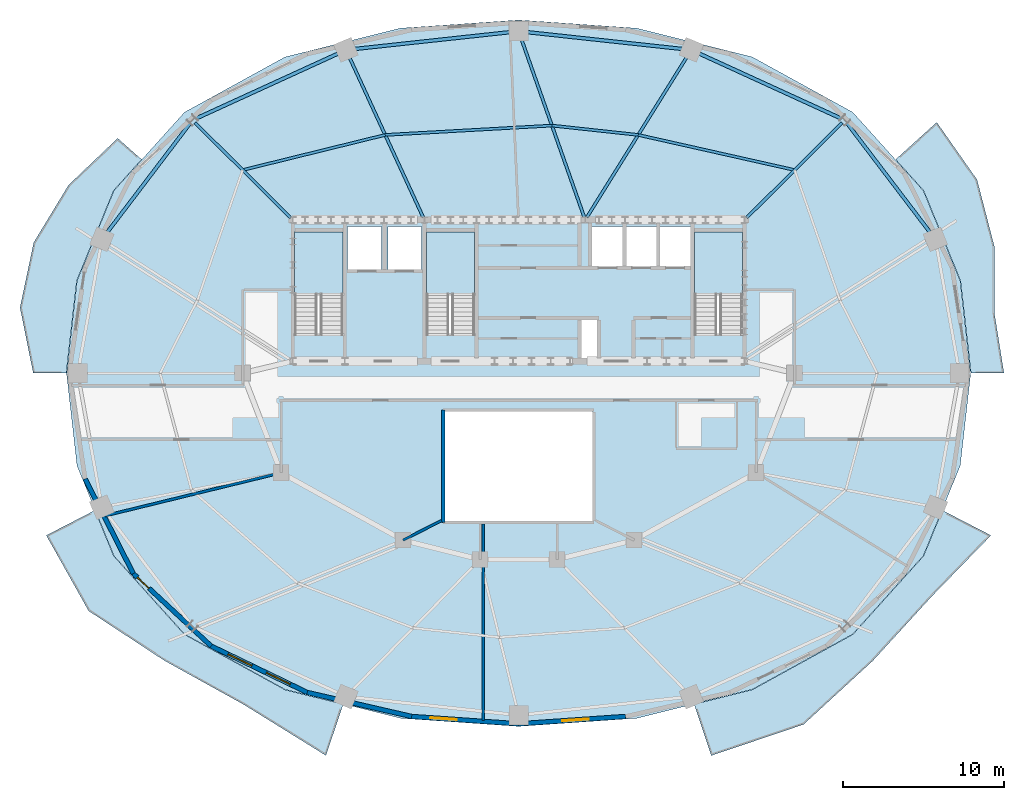
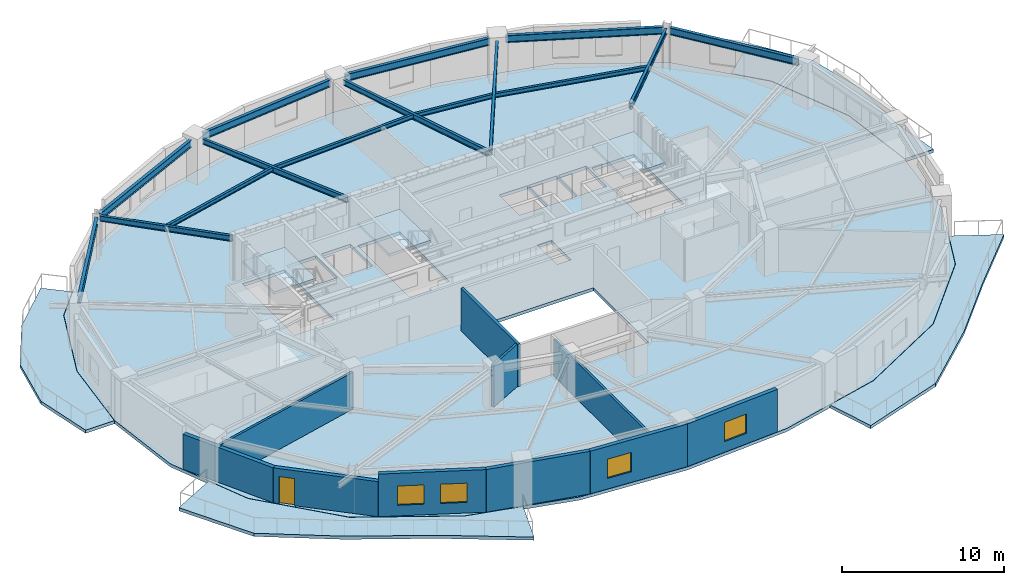
# One storey, part 3 of 11: 15 beams, 10 walls, 8 slabs, 4 windows, 1 door, 5 openings, 3 elements without a shape of their own.
"""IFC4 building model written with IfcOpenShell, lengths in metres."""

from ifc_helpers import new_model, si_unit, direction, frame, frame_2d, origin, origin_2d, place, context, subcontext, project, spatial, polyline, rectangle, i_section, outline, extrude, material, layer, layer_set, material_profile, profile_set, type_object, element, fill, aggregate, save


model = new_model("IFC4")

# Units and contexts
model_context = context("Model", 3, precision=1e-05, world=origin(), true_north=direction((0.0, 1.0)))
body_context = subcontext(model_context, "Body", "Model", "MODEL_VIEW")
ifc_project = project(units=[si_unit("LENGTHUNIT", "METRE"), si_unit("AREAUNIT", "SQUARE_METRE"), si_unit("VOLUMEUNIT", "CUBIC_METRE"), si_unit("PLANEANGLEUNIT", "RADIAN"), si_unit("MASSUNIT", "GRAM", prefix="KILO")], contexts=[model_context])

# Site, building, storey
site_placement = place(None, origin())
site = spatial("IfcSite", under=ifc_project, at=site_placement, CompositionType="ELEMENT")
building_placement = place(site_placement, origin())
building = spatial("IfcBuilding", under=site, at=building_placement, Name="Haldorwick Loom Tower", CompositionType="ELEMENT")
storey_placement = place(building_placement, frame((0.0, 0.0, 215.199951171875)))
storey = spatial("IfcBuildingStorey", under=building, at=storey_placement, Name="L58", CompositionType="ELEMENT", Elevation=215.199951171875)

# Beams
ifc_material_1 = material(Name="Steel CSA G40.21 350W", Category="steel")
ifc_material_profile_1 = material_profile(ifc_material_1, i_section(OverallWidth=0.166015625, OverallDepth=0.31298828125, WebThickness=0.006591796875, FlangeThickness=0.01123046875, at=origin_2d()), Name="W310X45", Category="steel")
ifc_profile_set_1 = profile_set([ifc_material_profile_1], Name="Steel CSA G40.21 350W")
beam_type_1 = type_object("IfcBeamType", Name="STR-BM-J310", PredefinedType="JOIST", material=ifc_profile_set_1)
beam_1_placement = place(storey_placement, frame((53.19384765625, 38.657470703125, 3.053466796875), z_axis=(-0.975700785876, 0.219107225898, 0.0), x_axis=(-0.219107225898, -0.975700785876, 0.0)))
element("IfcBeam", 1, at=beam_1_placement, inside=storey, type_object=beam_type_1, Name="L58 Mid-Bay Secondary Joist 3", PredefinedType="JOIST", context=body_context, shape_type="SweptSolid", body=[
    extrude(i_section(OverallWidth=0.166015625, OverallDepth=0.31298828125, WebThickness=0.006591796875, FlangeThickness=0.01123046875, at=origin_2d()), origin(), (0.0, 0.0, 1.0), 9.98486328125),
])
beam_2_placement = place(storey_placement, frame((43.45166015625, 40.84521484375, 3.053466796875), z_axis=(-0.994187082722, 0.107666357549, 0.0), x_axis=(-0.107666357549, -0.994187082722, 0.0)))
element("IfcBeam", 2, at=beam_2_placement, inside=storey, type_object=beam_type_1, Name="L58 Mid-Bay Secondary Joist 4", PredefinedType="JOIST", context=body_context, shape_type="SweptSolid", body=[
    extrude(i_section(OverallWidth=0.166015625, OverallDepth=0.31298828125, WebThickness=0.006591796875, FlangeThickness=0.01123046875, at=origin_2d()), origin(), (0.0, 0.0, 1.0), 5.408203125),
])
beam_3_placement = place(storey_placement, frame((38.074951171875, 41.427490234375, 3.053466796875), z_axis=(-0.998432354117, -0.05597172726, 0.0), x_axis=(0.05597172726, -0.998432354117, 0.0)))
element("IfcBeam", 3, at=beam_3_placement, inside=storey, type_object=beam_type_1, Name="L58 Mid-Bay Secondary Joist 5", PredefinedType="JOIST", context=body_context, shape_type="SweptSolid", body=[
    extrude(i_section(OverallWidth=0.166015625, OverallDepth=0.31298828125, WebThickness=0.006591796875, FlangeThickness=0.01123046875, at=origin_2d()), origin(), (0.0, 0.0, 1.0), 10.403076171875),
])
beam_4_placement = place(storey_placement, frame((27.688232421875, 40.84521484375, 3.053466796875), z_axis=(-0.970979703726, -0.239161901132, 0.0), x_axis=(0.239161901132, -0.970979703726, 0.0)))
element("IfcBeam", 4, at=beam_4_placement, inside=storey, type_object=beam_type_1, Name="L58 Mid-Bay Secondary Joist 6", PredefinedType="JOIST", context=body_context, shape_type="SweptSolid", body=[
    extrude(i_section(OverallWidth=0.166015625, OverallDepth=0.31298828125, WebThickness=0.006591796875, FlangeThickness=0.01123046875, at=origin_2d()), origin(), (0.0, 0.0, 1.0), 9.1474609375),
])
ifc_material_profile_2 = material_profile(ifc_material_1, i_section(OverallWidth=0.179931640625, OverallDepth=0.4130859375, WebThickness=0.009765625, FlangeThickness=0.01611328125, at=origin_2d()), Name="W410X74", Category="steel")
ifc_profile_set_2 = profile_set([ifc_material_profile_2], Name="Steel CSA G40.21 350W")
beam_type_2 = type_object("IfcBeamType", Name="STR-BM-J410", PredefinedType="JOIST", material=ifc_profile_set_2)
beam_5_placement = place(storey_placement, frame((50.1962890625, 35.675537109375, 3.003662109375), z_axis=(0.708962390492, 0.70524628951, 0.0), x_axis=(-0.70524628951, 0.708962390492, 0.0)))
element("IfcBeam", 5, at=beam_5_placement, inside=storey, type_object=beam_type_2, Name="L58 Radial Floor Girder 3", PredefinedType="JOIST", context=body_context, shape_type="SweptSolid", body=[
    extrude(i_section(OverallWidth=0.179931640625, OverallDepth=0.4130859375, WebThickness=0.009765625, FlangeThickness=0.01611328125, at=origin_2d()), origin(), (0.0, 0.0, 1.0), 8.409423828125),
])
beam_6_placement = place(storey_placement, frame((40.244140625, 35.700927734375, 3.003662109375), z_axis=(0.529095323143, 0.848562395483, 0.0), x_axis=(-0.848562395483, 0.529095323143, 0.0)))
element("IfcBeam", 6, at=beam_6_placement, inside=storey, type_object=beam_type_2, Name="L58 Radial Floor Girder 4", PredefinedType="JOIST", context=body_context, shape_type="SweptSolid", body=[
    extrude(i_section(OverallWidth=0.179931640625, OverallDepth=0.4130859375, WebThickness=0.009765625, FlangeThickness=0.01611328125, at=origin_2d()), origin(), (0.0, 0.0, 1.0), 11.78271484375),
])
beam_7_placement = place(storey_placement, frame((40.0908203125, 35.7177734375, 3.003662109375), z_axis=(-0.332908014691, 0.942959306521, 0.0), x_axis=(-0.942959306521, -0.332908014691, 0.0)))
element("IfcBeam", 7, at=beam_7_placement, inside=storey, type_object=beam_type_2, Name="L58 Radial Floor Girder 5", PredefinedType="JOIST", context=body_context, shape_type="SweptSolid", body=[
    extrude(i_section(OverallWidth=0.179931640625, OverallDepth=0.4130859375, WebThickness=0.009765625, FlangeThickness=0.01611328125, at=origin_2d()), origin(), (0.0, 0.0, 1.0), 11.768310546875),
])
beam_8_placement = place(storey_placement, frame((30.055419921875, 35.711669921875, 3.003662109375), z_axis=(-0.418729142855, 0.908111174319, 0.0), x_axis=(-0.908111174319, -0.418729142855, 0.0)))
element("IfcBeam", 8, at=beam_8_placement, inside=storey, type_object=beam_type_2, Name="L58 Radial Floor Girder 6", PredefinedType="JOIST", context=body_context, shape_type="SweptSolid", body=[
    extrude(i_section(OverallWidth=0.179931640625, OverallDepth=0.4130859375, WebThickness=0.009765625, FlangeThickness=0.01611328125, at=origin_2d()), origin(), (0.0, 0.0, 1.0), 10.96435546875),
])
beam_9_placement = place(storey_placement, frame((21.8037109375, 35.675537109375, 3.003662109375), z_axis=(-0.708962390492, 0.70524628951, 0.0), x_axis=(-0.70524628951, -0.708962390492, 0.0)))
element("IfcBeam", 9, at=beam_9_placement, inside=storey, type_object=beam_type_2, Name="L58 Radial Floor Girder 7", PredefinedType="JOIST", context=body_context, shape_type="SweptSolid", body=[
    extrude(i_section(OverallWidth=0.179931640625, OverallDepth=0.4130859375, WebThickness=0.009765625, FlangeThickness=0.01611328125, at=origin_2d()), origin(), (0.0, 0.0, 1.0), 8.409423828125),
])
ifc_material_profile_3 = material_profile(ifc_material_1, i_section(OverallWidth=0.2119140625, OverallDepth=0.5439453125, WebThickness=0.01318359375, FlangeThickness=0.021240234375, at=origin_2d()), Name="W530X123", Category="steel")
ifc_profile_set_3 = profile_set([ifc_material_profile_3], Name="Steel CSA G40.21 350W")
beam_type_3 = type_object("IfcBeamType", Name="STR-BM-SP530", PredefinedType="SPANDREL", material=ifc_profile_set_3)
beam_10_placement = place(storey_placement, frame((61.646240234375, 34.75634765625, 2.93798828125), z_axis=(-0.605236944797, 0.796045376001, 0.0), x_axis=(-0.796045376001, -0.605236944797, 0.0)))
element("IfcBeam", 10, at=beam_10_placement, inside=storey, type_object=beam_type_3, Name="L58 Perimeter Spandrel 2", PredefinedType="SPANDREL", context=body_context, shape_type="SweptSolid", body=[
    extrude(i_section(OverallWidth=0.2119140625, OverallDepth=0.5439453125, WebThickness=0.01318359375, FlangeThickness=0.021240234375, at=origin_2d()), origin(), (0.0, 0.0, 1.0), 8.5791015625),
])
beam_11_placement = place(storey_placement, frame((56.113037109375, 41.8583984375, 2.93798828125), z_axis=(-0.909342182232, 0.416049030299, 0.0), x_axis=(-0.416049030299, -0.909342182232, 0.0)))
element("IfcBeam", 11, at=beam_11_placement, inside=storey, type_object=beam_type_3, Name="L58 Perimeter Spandrel 3", PredefinedType="SPANDREL", context=body_context, shape_type="SweptSolid", body=[
    extrude(i_section(OverallWidth=0.2119140625, OverallDepth=0.5439453125, WebThickness=0.01318359375, FlangeThickness=0.021240234375, at=origin_2d()), origin(), (0.0, 0.0, 1.0), 9.772705078125),
])
for number, where, z_axis, x_axis, name in (
    (12, (46.236328125, 46.196533203125, 2.93798828125), (-0.994187774205, 0.107659972233, 0.0), (-0.107659972233, -0.994187774205, 0.0), "L58 Perimeter Spandrel 4"),
    (13, (35.48291015625, 47.2490234375, 2.93798828125), (-0.994187774205, -0.107659972233, 0.0), (0.107659972233, -0.994187774205, 0.0), "L58 Perimeter Spandrel 5"),
):
    element("IfcBeam", number, at=place(storey_placement, frame(where, z_axis=z_axis, x_axis=x_axis)), inside=storey, type_object=beam_type_3, Name=name, PredefinedType="SPANDREL", context=body_context, shape_type="SweptSolid", body=[
        extrude(i_section(OverallWidth=0.2119140625, OverallDepth=0.5439453125, WebThickness=0.01318359375, FlangeThickness=0.021240234375, at=origin_2d()), origin(), (0.0, 0.0, 1.0), 9.776123046875),
    ])
beam_12_placement = place(storey_placement, frame((24.773681640625, 45.92431640625, 2.93798828125), z_axis=(-0.909342182232, -0.416049030299, 0.0), x_axis=(0.416049030299, -0.909342182232, 0.0)))
element("IfcBeam", 14, at=beam_12_placement, inside=storey, type_object=beam_type_3, Name="L58 Perimeter Spandrel 6", PredefinedType="SPANDREL", context=body_context, shape_type="SweptSolid", body=[
    extrude(i_section(OverallWidth=0.2119140625, OverallDepth=0.5439453125, WebThickness=0.01318359375, FlangeThickness=0.021240234375, at=origin_2d()), origin(), (0.0, 0.0, 1.0), 9.772705078125),
])
beam_13_placement = place(storey_placement, frame((15.546142578125, 41.585693359375, 2.93798828125), z_axis=(-0.605236944797, -0.796045376001, 0.0), x_axis=(0.796045376001, -0.605236944797, 0.0)))
element("IfcBeam", 15, at=beam_13_placement, inside=storey, type_object=beam_type_3, Name="L58 Perimeter Spandrel 7", PredefinedType="SPANDREL", context=body_context, shape_type="SweptSolid", body=[
    extrude(i_section(OverallWidth=0.2119140625, OverallDepth=0.5439453125, WebThickness=0.01318359375, FlangeThickness=0.021240234375, at=origin_2d()), origin(), (0.0, 0.0, 1.0), 8.5791015625),
])

# Slabs
ifc_material_2 = material(Name="Concrete C40 (40 MPa)", Category="concrete")
ifc_layer_1 = layer(ifc_material_2, 0.239990234375, Name="Concrete C40 (40 MPa)", Category="concrete")
ifc_layer_set_1 = layer_set([ifc_layer_1], Name="Concrete C40 (40 MPa)")
slab_type_1 = type_object("IfcSlabType", Name="STR-SLB-BAL240", PredefinedType="FLOOR", material=ifc_layer_set_1)
slab_1_placement = place(storey_placement, frame((0.0, 0.0, -0.239990234375)))
element("IfcSlab", 16, at=slab_1_placement, inside=storey, type_object=slab_type_1, Name="L58 Sinusoidal Balcony Terrace BAL_SE", PredefinedType="FLOOR", context=body_context, shape_type="SweptSolid", body=[
    extrude(outline(polyline([(62.39208984375, 17.46142578125), (61.229736328125, 14.62060546875), (61.229248046875, 14.619384765625), (61.228515625, 14.6181640625), (61.227783203125, 14.6171875), (61.22705078125, 14.6162109375), (56.82373046875, 9.72998046875), (56.82275390625, 9.72900390625), (56.8212890625, 9.727783203125), (56.81982421875, 9.72705078125), (50.565673828125, 6.287109375), (50.564453125, 6.286376953125), (50.563232421875, 6.285888671875), (50.56201171875, 6.285400390625), (46.934326171875, 5.379638671875), (48.0029296875, 2.17919921875), (53.75341796875, 4.119873046875), (58.088134765625, 8.107666015625), (61.7333984375, 12.09521484375), (65.4248046875, 15.89599609375), (62.39208984375, 17.46142578125)])), origin(), (0.0, 0.0, 1.0), 0.239990234375),
])
slab_2_placement = place(storey_placement, frame((0.0, 0.0, -0.239990234375)))
element("IfcSlab", 17, at=slab_2_placement, inside=storey, type_object=slab_type_1, Name="L58 Sinusoidal Balcony Terrace BAL_SW", PredefinedType="FLOOR", context=body_context, shape_type="SweptSolid", body=[
    extrude(outline(polyline([(25.065673828125, 5.379638671875), (21.43798828125, 6.285400390625), (21.436767578125, 6.285888671875), (21.435546875, 6.286376953125), (21.434326171875, 6.287109375), (15.18017578125, 9.72705078125), (15.1787109375, 9.727783203125), (15.17724609375, 9.72900390625), (15.17626953125, 9.72998046875), (10.77294921875, 14.6162109375), (10.772216796875, 14.6171875), (10.771484375, 14.6181640625), (10.770751953125, 14.619384765625), (10.770263671875, 14.62060546875), (9.60791015625, 17.46142578125), (6.5751953125, 15.89599609375), (9.211181640625, 11.19287109375), (13.911865234375, 8.107666015625), (18.889404296875, 5.350830078125), (23.9970703125, 2.17919921875), (25.065673828125, 5.379638671875)])), origin(), (0.0, 0.0, 1.0), 0.239990234375),
])
slab_3_placement = place(storey_placement, frame((0.0, 0.0, -0.239990234375)))
element("IfcSlab", 18, at=slab_3_placement, inside=storey, type_object=slab_type_1, Name="L58 Sinusoidal Balcony Terrace BAL_WNW", PredefinedType="FLOOR", context=body_context, shape_type="SweptSolid", body=[
    extrude(outline(polyline([(7.818603515625, 26.0), (7.818603515625, 26.001708984375), (8.472412109375, 31.760986328125), (8.47265625, 31.762451171875), (8.472900390625, 31.763916015625), (8.473388671875, 31.76513671875), (10.770263671875, 37.37939453125), (10.770751953125, 37.380615234375), (10.771484375, 37.3818359375), (10.772216796875, 37.3828125), (10.77294921875, 37.3837890625), (12.51220703125, 39.31396484375), (11.021240234375, 40.63623046875), (7.961669921875, 37.720947265625), (5.794921875, 34.153564453125), (4.93603515625, 30.090576171875), (5.761962890625, 26.0), (7.818603515625, 26.0)])), origin(), (0.0, 0.0, 1.0), 0.239990234375),
])
slab_4_placement = place(storey_placement, frame((0.0, 0.0, -0.239990234375)))
element("IfcSlab", 19, at=slab_4_placement, inside=storey, type_object=slab_type_1, Name="L58 Sinusoidal Balcony Terrace BAL_ENE", PredefinedType="FLOOR", context=body_context, shape_type="SweptSolid", body=[
    extrude(outline(polyline([(59.48681640625, 39.315185546875), (61.22705078125, 37.3837890625), (61.227783203125, 37.3828125), (61.228515625, 37.3818359375), (61.229248046875, 37.380615234375), (61.229736328125, 37.37939453125), (63.526611328125, 31.76513671875), (63.527099609375, 31.763916015625), (63.52734375, 31.762451171875), (63.527587890625, 31.760986328125), (64.181396484375, 26.001708984375), (64.181396484375, 26.0), (66.238037109375, 26.0), (65.631103515625, 29.80029296875), (65.632568359375, 33.91552734375), (64.5576171875, 38.0595703125), (62.04931640625, 41.6318359375), (59.48681640625, 39.315185546875)])), origin(), (0.0, 0.0, 1.0), 0.239990234375),
])

# Stair, slab
stair_type = type_object("IfcStairType", Name="STR-STR-CORE", PredefinedType="HALF_TURN_STAIR", material=ifc_material_2)
stair_1_placement = place(storey_placement, origin())
stair_1 = element("IfcStair", 20, at=stair_1_placement, inside=storey, type_object=stair_type, Name="L58 Exit Stair ST-01", PredefinedType="HALF_TURN_STAIR")
ifc_layer_2 = layer(ifc_material_2, 0.199951171875, Name="Concrete C40 (40 MPa)", Category="concrete")
ifc_layer_set_2 = layer_set([ifc_layer_2], Name="Concrete C40 (40 MPa)")
slab_type_2 = type_object("IfcSlabType", Name="STR-SLB-LAND200", PredefinedType="LANDING", material=ifc_layer_set_2)
slab_5_placement = place(storey_placement, frame((0.0, 0.0, 1.525146484375)))
slab_5 = element("IfcSlab", 21, at=slab_5_placement, type_object=slab_type_2, Name="ST-01 landing 1", PredefinedType="LANDING", context=body_context, shape_type="SweptSolid", body=[
    extrude(outline(polyline([(25.050048828125, 30.919921875), (25.050048828125, 34.800048828125), (22.050048828125, 34.800048828125), (22.050048828125, 30.919921875), (25.050048828125, 30.919921875)])), origin(), (0.0, 0.0, 1.0), 0.199951171875),
])
aggregate(stair_1, [slab_5])

stair_2_placement = place(storey_placement, origin())
stair_2 = element("IfcStair", 22, at=stair_2_placement, inside=storey, type_object=stair_type, Name="L58 Exit Stair ST-02", PredefinedType="HALF_TURN_STAIR")
slab_6_placement = place(storey_placement, frame((0.0, 0.0, 1.525146484375)))
slab_6 = element("IfcSlab", 23, at=slab_6_placement, type_object=slab_type_2, Name="ST-02 landing 1", PredefinedType="LANDING", context=body_context, shape_type="SweptSolid", body=[
    extrude(outline(polyline([(49.949951171875, 30.919921875), (49.949951171875, 34.800048828125), (46.949951171875, 34.800048828125), (46.949951171875, 30.919921875), (49.949951171875, 30.919921875)])), origin(), (0.0, 0.0, 1.0), 0.199951171875),
])
aggregate(stair_2, [slab_6])

stair_3_placement = place(storey_placement, origin())
stair_3 = element("IfcStair", 24, at=stair_3_placement, inside=storey, type_object=stair_type, Name="L58 Exit Stair ST-03", PredefinedType="HALF_TURN_STAIR")
slab_7_placement = place(storey_placement, frame((0.0, 0.0, 1.525146484375)))
slab_7 = element("IfcSlab", 25, at=slab_7_placement, type_object=slab_type_2, Name="ST-03 landing 1", PredefinedType="LANDING", context=body_context, shape_type="SweptSolid", body=[
    extrude(outline(polyline([(33.25, 30.919921875), (33.25, 34.800048828125), (30.25, 34.800048828125), (30.25, 30.919921875), (33.25, 30.919921875)])), origin(), (0.0, 0.0, 1.0), 0.199951171875),
])
aggregate(stair_3, [slab_7])

# Slab
ifc_layer_3 = layer(ifc_material_2, 0.239990234375, Name="Concrete C40 (40 MPa)", Category="concrete")
ifc_layer_set_3 = layer_set([ifc_layer_3], Name="Concrete C40 (40 MPa)")
slab_type_3 = type_object("IfcSlabType", Name="STR-SLB-RES240", PredefinedType="FLOOR", material=ifc_layer_set_3)
slab_8_placement = place(storey_placement, frame((0.0, 0.0, -0.239990234375)))
element("IfcSlab", 26, at=slab_8_placement, inside=storey, type_object=slab_type_3, Name="L58 Residential Structural Floor Slab", PredefinedType="FLOOR", context=body_context, shape_type="SweptSolid", body=[
    extrude(outline(polyline([(56.812744140625, 9.739990234375), (61.2158203125, 14.626220703125), (63.5126953125, 20.240478515625), (64.16650390625, 26.0), (63.5126953125, 31.759521484375), (61.2158203125, 37.373779296875), (56.812744140625, 42.260009765625), (50.558349609375, 45.699951171875), (43.3720703125, 47.494384765625), (36.0, 48.0048828125), (28.6279296875, 47.494384765625), (21.441650390625, 45.699951171875), (15.187255859375, 42.260009765625), (10.7841796875, 37.373779296875), (8.4873046875, 31.759521484375), (7.83349609375, 26.0), (8.4873046875, 20.240478515625), (10.7841796875, 14.626220703125), (15.187255859375, 9.739990234375), (21.441650390625, 6.300048828125), (28.6279296875, 4.505615234375), (36.0, 3.9951171875), (43.3720703125, 4.505615234375), (50.558349609375, 6.300048828125), (56.812744140625, 9.739990234375)]), holes=[polyline([(31.39990234375, 16.800048828125), (31.39990234375, 23.60009765625), (40.60009765625, 23.60009765625), (40.60009765625, 16.800048828125), (31.39990234375, 16.800048828125)]), polyline([(40.89990234375, 26.89990234375), (39.89990234375, 26.89990234375), (39.89990234375, 29.300048828125), (40.89990234375, 29.300048828125), (40.89990234375, 26.89990234375)]), polyline([(23.6201171875, 28.39990234375), (22.050048828125, 28.39990234375), (22.050048828125, 34.800048828125), (25.050048828125, 34.800048828125), (25.050048828125, 28.639892578125), (23.6201171875, 28.639892578125), (23.6201171875, 28.39990234375)]), polyline([(30.25, 28.39990234375), (30.25, 34.800048828125), (33.25, 34.800048828125), (33.25, 28.639892578125), (31.820068359375, 28.639892578125), (31.820068359375, 28.39990234375), (30.25, 28.39990234375)]), polyline([(46.949951171875, 28.39990234375), (46.949951171875, 34.800048828125), (49.949951171875, 34.800048828125), (49.949951171875, 28.639892578125), (48.52001953125, 28.639892578125), (48.52001953125, 28.39990234375), (46.949951171875, 28.39990234375)]), polyline([(27.449951171875, 32.449951171875), (25.35009765625, 32.449951171875), (25.35009765625, 35.14990234375), (27.449951171875, 35.14990234375), (27.449951171875, 32.449951171875)]), polyline([(29.949951171875, 32.449951171875), (27.85009765625, 32.449951171875), (27.85009765625, 35.14990234375), (29.949951171875, 35.14990234375), (29.949951171875, 32.449951171875)]), polyline([(42.550048828125, 32.64990234375), (40.550048828125, 32.64990234375), (40.550048828125, 35.14990234375), (42.550048828125, 35.14990234375), (42.550048828125, 32.64990234375)]), polyline([(42.64990234375, 32.64990234375), (42.64990234375, 35.14990234375), (44.64990234375, 35.14990234375), (44.64990234375, 32.64990234375), (42.64990234375, 32.64990234375)]), polyline([(44.75, 32.64990234375), (44.75, 35.14990234375), (46.75, 35.14990234375), (46.75, 32.64990234375), (44.75, 32.64990234375)])]), origin(), (0.0, 0.0, 1.0), 0.239990234375),
])

# Wall
ifc_material_3 = material(Name="Pressed Clay Face Brick and Insulated Masonry Backup Assembly", Category="masonry")
ifc_layer_4 = layer(ifc_material_3, 0.280029296875, Name="Pressed Clay Face Brick and Insulated Masonry Backup Assembly", Category="masonry")
ifc_layer_set_4 = layer_set([ifc_layer_4], Name="Pressed Clay Face Brick and Insulated Masonry Backup Assembly")
wall_type_1 = type_object("IfcWallType", Name="ARC-WL-EXT280", PredefinedType="STANDARD", material=ifc_layer_set_4)
wall_1_placement = place(storey_placement, frame((8.995849609375, 19.415283203125, 0.0), z_axis=(0.0, 0.0, 1.0), x_axis=(0.453032066879, -0.89149422117, 0.0)))
element("IfcWall", 27, at=wall_1_placement, inside=storey, type_object=wall_type_1, Name="L58 Brick Pier and Spandrel Wall 14", PredefinedType="STANDARD", context=body_context, shape_type="SweptSolid", body=[
    extrude(rectangle(XDim=6.618896484375, YDim=0.280029296875, at=frame_2d((3.3095703125, 0.0))), origin(), (0.0, 0.0, 1.0), 2.64111328125),
])

# Wall, opening, door
wall_2_placement = place(storey_placement, frame((11.994384765625, 13.5146484375, 0.0), z_axis=(0.0, 0.0, 1.0), x_axis=(0.731833707499, -0.681483253329, 0.0)))
wall_2 = element("IfcWall", 28, at=wall_2_placement, inside=storey, type_object=wall_type_1, Name="L58 Brick Pier and Spandrel Wall 15", PredefinedType="STANDARD", context=body_context, shape_type="SweptSolid", body=[
    extrude(rectangle(XDim=6.61865234375, YDim=0.280029296875, at=frame_2d((3.309326171875, 0.0))), origin(), (0.0, 0.0, 1.0), 2.64111328125),
])
opening_1_placement = place(wall_2_placement, frame((0.340087890625, 0.0, 0.0)))
opening_1 = element("IfcOpeningElement", 29, at=opening_1_placement, cuts=wall_2, Name="Opening D-BL10", PredefinedType="OPENING", context=body_context, shape_type="SweptSolid", body=[
    extrude(rectangle(XDim=1.0, YDim=2.0400390625, at=frame_2d((0.5, 1.02001953125))), frame((0.0, 0.14990234375, 0.0), z_axis=(0.0, -1.0, 0.0), x_axis=(1.0, 0.0, 0.0)), (0.0, 0.0, 1.0), 0.300048828125),
])
ifc_material_4 = material(Name="Thermally Broken Anodized Aluminium Curtain Wall Framing", Category="aluminium")
door_type = type_object("IfcDoorType", Name="ARC-DR-BAL100", OperationType="NOTDEFINED", PredefinedType="DOOR", material=ifc_material_4)
door_placement = place(opening_1_placement, origin())
door = element("IfcDoor", 30, at=door_placement, inside=storey, type_object=door_type, Name="L58 Outdoor Terrace Door SLB-L58-BAL_SW", OperationType="SINGLE_SWING_LEFT", OverallHeight=2.0400390625, OverallWidth=1.0, PredefinedType="DOOR", context=body_context, shape_type="SweptSolid", body=[
    extrude(rectangle(XDim=1.0, YDim=2.0400390625, at=frame_2d((0.5, 1.02001953125))), frame((0.0, 0.02490234375, 0.0), z_axis=(0.0, -1.0, 0.0), x_axis=(1.0, 0.0, 0.0)), (0.0, 0.0, 1.0), 0.050048828125),
])
fill(opening_1, door)

# Wall, openings, windows
wall_3_placement = place(storey_placement, frame((16.838134765625, 9.004150390625, 0.0), z_axis=(0.0, 0.0, 1.0), x_axis=(0.900371236029, -0.435122554381, 0.0)))
wall_3 = element("IfcWall", 31, at=wall_3_placement, inside=storey, type_object=wall_type_1, Name="L58 Brick Pier and Spandrel Wall 16", PredefinedType="STANDARD", context=body_context, shape_type="SweptSolid", body=[
    extrude(rectangle(XDim=6.6533203125, YDim=0.280029296875, at=frame_2d((3.32666015625, 0.0))), origin(), (0.0, 0.0, 1.0), 3.2099609375),
])
opening_2_placement = place(wall_3_placement, frame((1.1708984375, 0.0, 0.800048828125)))
opening_2 = element("IfcOpeningElement", 32, at=opening_2_placement, cuts=wall_3, Name="Opening W-01B", PredefinedType="OPENING", context=body_context, shape_type="SweptSolid", body=[
    extrude(rectangle(XDim=1.64990234375, YDim=1.449951171875, at=frame_2d((0.824951171875, 0.72509765625))), frame((0.0, 0.14990234375, 0.0), z_axis=(0.0, -1.0, 0.0), x_axis=(1.0, 0.0, 0.0)), (0.0, 0.0, 1.0), 0.300048828125),
])
opening_3_placement = place(wall_3_placement, frame((3.832275390625, 0.0, 0.800048828125)))
opening_3 = element("IfcOpeningElement", 33, at=opening_3_placement, cuts=wall_3, Name="Opening W-01B", PredefinedType="OPENING", context=body_context, shape_type="SweptSolid", body=[
    extrude(rectangle(XDim=1.64990234375, YDim=1.449951171875, at=frame_2d((0.824951171875, 0.72509765625))), frame((0.0, 0.14990234375, 0.0), z_axis=(0.0, -1.0, 0.0), x_axis=(1.0, 0.0, 0.0)), (0.0, 0.0, 1.0), 0.300048828125),
])
ifc_material_5 = material(Name="Triple-Glazed Low-E Argon Insulated Glazing Unit", Category="glass")
window_type = type_object("IfcWindowType", Name="ARC-WIN-W165", PartitioningType="SINGLE_PANEL", PredefinedType="WINDOW", material=ifc_material_5)
window_1_placement = place(opening_2_placement, origin())
window_1 = element("IfcWindow", 34, at=window_1_placement, inside=storey, type_object=window_type, Name="L58 Deep-Set Zone 7A Window 16", OverallHeight=1.449951171875, OverallWidth=1.64990234375, PartitioningType="SINGLE_PANEL", PredefinedType="WINDOW", context=body_context, shape_type="SweptSolid", body=[
    extrude(rectangle(XDim=1.64990234375, YDim=1.449951171875, at=frame_2d((0.824951171875, 0.72509765625))), frame((0.0, 0.030029296875, 0.0), z_axis=(0.0, -1.0, 0.0), x_axis=(1.0, 0.0, 0.0)), (0.0, 0.0, 1.0), 0.06005859375),
])
fill(opening_2, window_1)
window_2_placement = place(opening_3_placement, origin())
window_2 = element("IfcWindow", 35, at=window_2_placement, inside=storey, type_object=window_type, Name="L58 Deep-Set Zone 7A Window 16", OverallHeight=1.449951171875, OverallWidth=1.64990234375, PartitioningType="SINGLE_PANEL", PredefinedType="WINDOW", context=body_context, shape_type="SweptSolid", body=[
    extrude(rectangle(XDim=1.64990234375, YDim=1.449951171875, at=frame_2d((0.824951171875, 0.72509765625))), frame((0.0, 0.030029296875, 0.0), z_axis=(0.0, -1.0, 0.0), x_axis=(1.0, 0.0, 0.0)), (0.0, 0.0, 1.0), 0.06005859375),
])
fill(opening_3, window_2)

# Wall
wall_4_placement = place(storey_placement, frame((22.82861328125, 6.109130859375, 0.0), z_axis=(0.0, 0.0, 1.0), x_axis=(0.974557343474, -0.224138315065, 0.0)))
element("IfcWall", 36, at=wall_4_placement, inside=storey, type_object=wall_type_1, Name="L58 Brick Pier and Spandrel Wall 17", PredefinedType="STANDARD", context=body_context, shape_type="SweptSolid", body=[
    extrude(rectangle(XDim=6.676025390625, YDim=0.280029296875, at=frame_2d((3.337890625, 0.0))), origin(), (0.0, 0.0, 1.0), 3.2099609375),
])

# Wall, opening, window
wall_5_placement = place(storey_placement, frame((29.334716796875, 4.61279296875, 0.0), z_axis=(0.0, 0.0, 1.0), x_axis=(0.99764992135, -0.068517402386, 0.0)))
wall_5 = element("IfcWall", 37, at=wall_5_placement, inside=storey, type_object=wall_type_1, Name="L58 Brick Pier and Spandrel Wall 18", PredefinedType="STANDARD", context=body_context, shape_type="SweptSolid", body=[
    extrude(rectangle(XDim=6.680908203125, YDim=0.280029296875, at=frame_2d((3.34033203125, 0.0))), origin(), (0.0, 0.0, 1.0), 3.2099609375),
])
opening_4_placement = place(wall_5_placement, frame((1.17919921875, 0.0, 0.800048828125)))
opening_4 = element("IfcOpeningElement", 38, at=opening_4_placement, cuts=wall_5, Name="Opening W-01B", PredefinedType="OPENING", context=body_context, shape_type="SweptSolid", body=[
    extrude(rectangle(XDim=1.64990234375, YDim=1.449951171875, at=frame_2d((0.824951171875, 0.72509765625))), frame((0.0, 0.14990234375, 0.0), z_axis=(0.0, -1.0, 0.0), x_axis=(1.0, 0.0, 0.0)), (0.0, 0.0, 1.0), 0.300048828125),
])
window_3_placement = place(opening_4_placement, origin())
window_3 = element("IfcWindow", 39, at=window_3_placement, inside=storey, type_object=window_type, Name="L58 Deep-Set Zone 7A Window 18", OverallHeight=1.449951171875, OverallWidth=1.64990234375, PartitioningType="SINGLE_PANEL", PredefinedType="WINDOW", context=body_context, shape_type="SweptSolid", body=[
    extrude(rectangle(XDim=1.64990234375, YDim=1.449951171875, at=frame_2d((0.824951171875, 0.72509765625))), frame((0.0, 0.030029296875, 0.0), z_axis=(0.0, -1.0, 0.0), x_axis=(1.0, 0.0, 0.0)), (0.0, 0.0, 1.0), 0.06005859375),
])
fill(opening_4, window_3)

wall_6_placement = place(storey_placement, frame((36.0, 4.155029296875, 0.0), z_axis=(0.0, 0.0, 1.0), x_axis=(0.99764992135, 0.068517402386, 0.0)))
wall_6 = element("IfcWall", 40, at=wall_6_placement, inside=storey, type_object=wall_type_1, Name="L58 Brick Pier and Spandrel Wall 19", PredefinedType="STANDARD", context=body_context, shape_type="SweptSolid", body=[
    extrude(rectangle(XDim=6.680908203125, YDim=0.280029296875, at=frame_2d((3.34033203125, 0.0))), origin(), (0.0, 0.0, 1.0), 3.2099609375),
])
opening_5_placement = place(wall_6_placement, frame((2.72412109375, 0.0, 0.800048828125)))
opening_5 = element("IfcOpeningElement", 41, at=opening_5_placement, cuts=wall_6, Name="Opening W-01B", PredefinedType="OPENING", context=body_context, shape_type="SweptSolid", body=[
    extrude(rectangle(XDim=1.64990234375, YDim=1.449951171875, at=frame_2d((0.824951171875, 0.72509765625))), frame((0.0, 0.14990234375, 0.0), z_axis=(0.0, -1.0, 0.0), x_axis=(1.0, 0.0, 0.0)), (0.0, 0.0, 1.0), 0.300048828125),
])
window_4_placement = place(opening_5_placement, origin())
window_4 = element("IfcWindow", 42, at=window_4_placement, inside=storey, type_object=window_type, Name="L58 Deep-Set Zone 7A Window 19", OverallHeight=1.449951171875, OverallWidth=1.64990234375, PartitioningType="SINGLE_PANEL", PredefinedType="WINDOW", context=body_context, shape_type="SweptSolid", body=[
    extrude(rectangle(XDim=1.64990234375, YDim=1.449951171875, at=frame_2d((0.824951171875, 0.72509765625))), frame((0.0, 0.030029296875, 0.0), z_axis=(0.0, -1.0, 0.0), x_axis=(1.0, 0.0, 0.0)), (0.0, 0.0, 1.0), 0.06005859375),
])
fill(opening_5, window_4)

# Walls
ifc_material_6 = material(Name="Fire-Rated Type X Gypsum Stud Assembly EI 60")
ifc_layer_5 = layer(ifc_material_6, 0.159912109375, Name="Fire-Rated Type X Gypsum Stud Assembly EI 60")
ifc_layer_set_5 = layer_set([ifc_layer_5], Name="Fire-Rated Type X Gypsum Stud Assembly EI 60")
wall_type_2 = type_object("IfcWallType", Name="ARC-WL-FIRE160", PredefinedType="PARTITIONING", material=ifc_layer_set_5)
wall_7_placement = place(storey_placement, frame((21.199951171875, 19.800048828125, 0.0), z_axis=(0.0, 0.0, 1.0), x_axis=(-0.971424010685, -0.237350777257, 0.0)))
element("IfcWall", 43, at=wall_7_placement, inside=storey, type_object=wall_type_2, Name="L58 Residential Fire Partition L58-ICR-08", PredefinedType="PARTITIONING", context=body_context, shape_type="SweptSolid", body=[
    extrude(rectangle(XDim=11.30859375, YDim=0.159912109375, at=frame_2d((5.654296875, 0.0))), origin(), (0.0, 0.0, 1.0), 2.77197265625),
])
wall_8_placement = place(storey_placement, frame((33.800048828125, 4.351318359375, 0.0), z_axis=(0.0, 0.0, 1.0), x_axis=(0.0, 1.0, 0.0)))
element("IfcWall", 44, at=wall_8_placement, inside=storey, type_object=wall_type_2, Name="L58 Residential Fire Partition L58-SBP-0", PredefinedType="PARTITIONING", context=body_context, shape_type="SweptSolid", body=[
    extrude(rectangle(XDim=12.24560546875, YDim=0.159912109375, at=frame_2d((6.122802734375, 0.0))), origin(), (0.0, 0.0, 1.0), 2.77197265625),
])
wall_9_placement = place(storey_placement, frame((31.197021484375, 16.822021484375, 0.0), z_axis=(0.0, 0.0, 1.0), x_axis=(-0.890915506237, -0.454169088278, 0.0)))
element("IfcWall", 45, at=wall_9_placement, inside=storey, type_object=wall_type_2, Name="L58 Residential Fire Partition L58-ICA-06", PredefinedType="PARTITIONING", context=body_context, shape_type="SweptSolid", body=[
    extrude(rectangle(XDim=2.6904296875, YDim=0.159912109375, at=frame_2d((1.34521484375, 0.0))), origin(), (0.0, 0.0, 1.0), 3.195068359375),
])
ifc_material_7 = material(Name="Fire-Rated Type X Gypsum Stud Assembly EI 120")
ifc_layer_6 = layer(ifc_material_7, 0.199951171875, Name="Fire-Rated Type X Gypsum Stud Assembly EI 120")
ifc_layer_set_6 = layer_set([ifc_layer_6], Name="Fire-Rated Type X Gypsum Stud Assembly EI 120")
wall_type_3 = type_object("IfcWallType", Name="ARC-WL-FIRE200", PredefinedType="PARTITIONING", material=ifc_layer_set_6)
wall_10_placement = place(storey_placement, frame((31.300048828125, 16.699951171875, 0.0), z_axis=(0.0, 0.0, 1.0), x_axis=(0.0, 1.0, 0.0)))
element("IfcWall", 46, at=wall_10_placement, inside=storey, type_object=wall_type_3, Name="L58 Atrium Fire Enclosure Wall W", PredefinedType="PARTITIONING", context=body_context, shape_type="SweptSolid", body=[
    extrude(rectangle(XDim=7.0, YDim=0.199951171875, at=frame_2d((3.5, 0.0))), origin(), (0.0, 0.0, 1.0), 3.195068359375),
])

save(model, "model.ifc")
